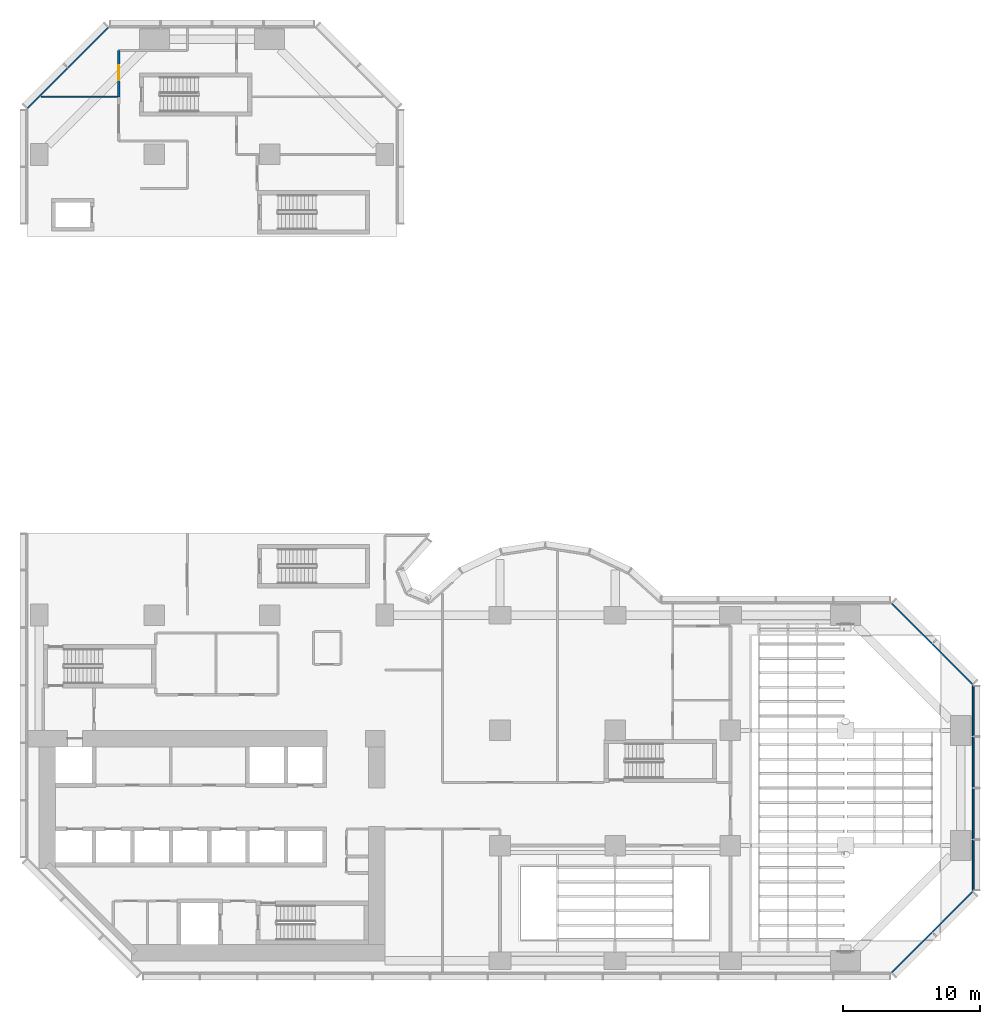
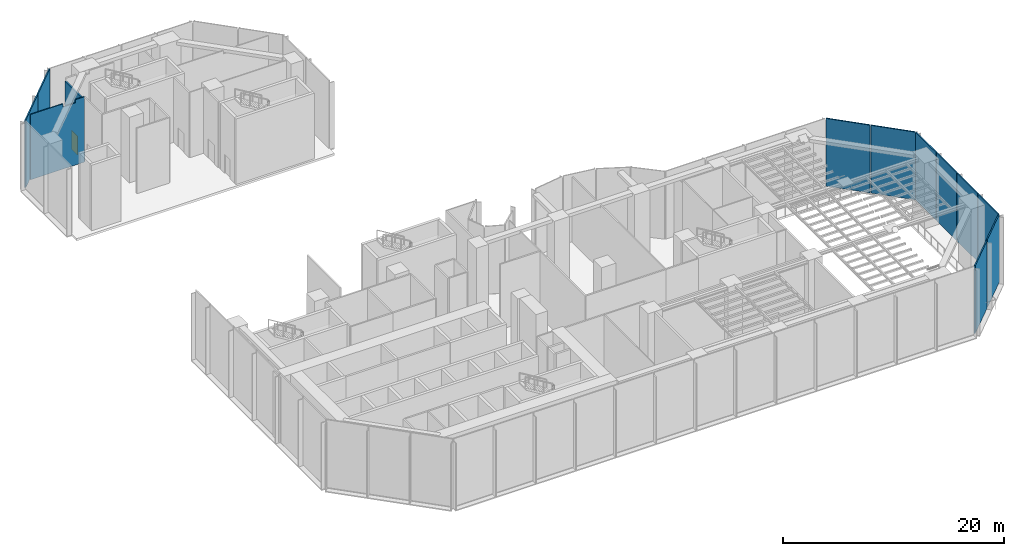
# One storey, part 16 of 22: 12 walls, 1 door, 1 opening.
"""IFC4 building model written with IfcOpenShell, lengths in metres."""

from ifc_helpers import new_model, si_unit, direction, frame, frame_2d, origin, place, context, subcontext, project, spatial, polyline, rectangle, outline, extrude, material, layer, layer_set, type_object, element, fill, save


model = new_model("IFC4")

# Units and contexts
model_context = context("Model", 3, precision=1e-05, world=origin(), true_north=direction((0.0, 1.0)))
body_context = subcontext(model_context, "Body", "Model", "MODEL_VIEW")
ifc_project = project(units=[si_unit("LENGTHUNIT", "METRE"), si_unit("AREAUNIT", "SQUARE_METRE"), si_unit("VOLUMEUNIT", "CUBIC_METRE"), si_unit("PLANEANGLEUNIT", "RADIAN"), si_unit("MASSUNIT", "GRAM", prefix="KILO")], contexts=[model_context])

# Site, building, storey
site_placement = place(None, origin())
site = spatial("IfcSite", under=ifc_project, at=site_placement, CompositionType="ELEMENT")
building_placement = place(site_placement, origin())
building = spatial("IfcBuilding", under=site, at=building_placement, Name="Brevane Broadcast Tower", CompositionType="ELEMENT")
storey_placement = place(building_placement, frame((0.0, 0.0, 20.0)))
storey = spatial("IfcBuildingStorey", under=building, at=storey_placement, Name="L03", CompositionType="ELEMENT", Elevation=20.0)

# Wall
ifc_material_1 = material(Name="Gypsum board partition")
ifc_layer_1 = layer(ifc_material_1, 0.10009765625)
ifc_layer_set_1 = layer_set([ifc_layer_1], Name="PARTITION 100 STUD")
wall_type_1 = type_object("IfcWallType", Name="PARTITION 100 STUD", PredefinedType="PARTITIONING", material=ifc_layer_set_1)
wall_1_placement = place(storey_placement, frame((0.144287109375, 63.0, 0.0), z_axis=(0.0, 0.0, 1.0), x_axis=(1.0, 0.0, 0.0)))
element("IfcWall", 1, at=wall_1_placement, inside=storey, type_object=wall_type_1, Name="Partition P3-038", PredefinedType="PARTITIONING", context=body_context, shape_type="SweptSolid", body=[
    extrude(outline(polyline([(0.0, 0.0), (5.65576171875, 0.0), (5.65576171875, 7.22998046875), (4.721435546875, 7.22998046875), (4.719482421875, 6.8798828125), (3.39208984375, 6.8798828125), (3.39013671875, 7.22998046875), (0.0, 7.22998046875), (0.0, 0.0)])), frame((0.0, 0.050048828125, 0.0), z_axis=(0.0, -1.0, 0.0), x_axis=(1.0, 0.0, 0.0)), (0.0, 0.0, 1.0), 0.10009765625),
])

# Wall, opening, door
ifc_layer_2 = layer(ifc_material_1, 0.14990234375)
ifc_layer_set_2 = layer_set([ifc_layer_2], Name="PARTITION 150 EI 60")
wall_type_2 = type_object("IfcWallType", Name="PARTITION 150 EI 60", PredefinedType="PARTITIONING", material=ifc_layer_set_2)
wall_2_placement = place(storey_placement, frame((5.800048828125, 63.0, 0.0), z_axis=(0.0, 0.0, 1.0), x_axis=(0.0, 1.0, 0.0)))
wall_2 = element("IfcWall", 2, at=wall_2_placement, inside=storey, type_object=wall_type_2, Name="Partition P3-033", PredefinedType="PARTITIONING", context=body_context, shape_type="SweptSolid", body=[
    extrude(rectangle(XDim=3.375, YDim=0.14990234375, at=frame_2d((1.6875, 0.0))), origin(), (0.0, 0.0, 1.0), 6.8798828125),
])
opening_placement = place(wall_2_placement, frame((1.199951171875, 0.0, 0.0)))
opening = element("IfcOpeningElement", 3, at=opening_placement, cuts=wall_2, Name="Opening D04-013", PredefinedType="OPENING", context=body_context, shape_type="SweptSolid", body=[
    extrude(rectangle(XDim=1.10009765625, YDim=2.10009765625, at=frame_2d((0.550048828125, 1.050048828125))), frame((0.0, 0.0849609375, 0.0), z_axis=(0.0, -1.0, 0.0), x_axis=(1.0, 0.0, 0.0)), (0.0, 0.0, 1.0), 0.169921875),
])
ifc_material_2 = material(Name="Fire-rated timber door leaf", Category="wood")
door_type = type_object("IfcDoorType", Name="DOOR SINGLE 1100 FD30S", OperationType="SINGLE_SWING_LEFT", PredefinedType="DOOR", material=ifc_material_2)
door_placement = place(opening_placement, origin())
door = element("IfcDoor", 4, at=door_placement, inside=storey, type_object=door_type, Name="Door D04-013", OperationType="SINGLE_SWING_LEFT", OverallHeight=2.10009765625, OverallWidth=1.10009765625, PredefinedType="DOOR", context=body_context, shape_type="SweptSolid", body=[
    extrude(rectangle(XDim=1.10009765625, YDim=2.10009765625, at=frame_2d((0.550048828125, 1.050048828125))), frame((0.0, 0.02490234375, 0.0), z_axis=(0.0, -1.0, 0.0), x_axis=(1.0, 0.0, 0.0)), (0.0, 0.0, 1.0), 0.050048828125),
])
fill(opening, door)

# Walls
ifc_material_3 = material(Name="Precast concrete C40/50", Category="concrete")
ifc_layer_3 = layer(ifc_material_3, 0.1201171875)
ifc_layer_set_3 = layer_set([ifc_layer_3], Name="Podium precast cladding wall 120 C40/50")
wall_type_3 = type_object("IfcWallType", Name="Podium precast cladding wall 120 C40/50", PredefinedType="SOLIDWALL", material=ifc_layer_set_3)
wall_3_placement = place(storey_placement, origin())
element("IfcWall", 5, at=wall_3_placement, inside=storey, type_object=wall_type_3, Name="Podium precast cladding wall", PredefinedType="SOLIDWALL", context=body_context, shape_type="SweptSolid", body=[
    extrude(outline(polyline([(62.096435546875, -0.832763671875), (65.03271484375, 2.103515625), (65.11767578125, 2.018798828125), (62.181396484375, -0.917724609375), (62.096435546875, -0.832763671875)])), origin(), (0.0, 0.0, 1.0), 7.5),
])
wall_4_placement = place(storey_placement, origin())
element("IfcWall", 6, at=wall_4_placement, inside=storey, type_object=wall_type_3, Name="Podium precast cladding wall", PredefinedType="SOLIDWALL", context=body_context, shape_type="SweptSolid", body=[
    extrude(outline(polyline([(65.096435546875, 2.167236328125), (68.03271484375, 5.103515625), (68.11767578125, 5.018798828125), (65.181396484375, 2.082275390625), (65.096435546875, 2.167236328125)])), origin(), (0.0, 0.0, 1.0), 7.5),
])
wall_5_placement = place(storey_placement, origin())
element("IfcWall", 7, at=wall_5_placement, inside=storey, type_object=wall_type_3, Name="Podium precast cladding wall", PredefinedType="SOLIDWALL", context=body_context, shape_type="SweptSolid", body=[
    extrude(outline(polyline([(68.169921875, 8.804931640625), (68.050048828125, 8.804931640625), (68.050048828125, 5.14501953125), (68.169921875, 5.14501953125), (68.169921875, 8.804931640625)])), origin(), (0.0, 0.0, 1.0), 7.5),
])
wall_6_placement = place(storey_placement, origin())
element("IfcWall", 8, at=wall_6_placement, inside=storey, type_object=wall_type_3, Name="Podium precast cladding wall", PredefinedType="SOLIDWALL", context=body_context, shape_type="SweptSolid", body=[
    extrude(outline(polyline([(68.169921875, 12.554931640625), (68.050048828125, 12.554931640625), (68.050048828125, 8.89501953125), (68.169921875, 8.89501953125), (68.169921875, 12.554931640625)])), origin(), (0.0, 0.0, 1.0), 7.5),
])
wall_7_placement = place(storey_placement, origin())
element("IfcWall", 9, at=wall_7_placement, inside=storey, type_object=wall_type_3, Name="Podium precast cladding wall", PredefinedType="SOLIDWALL", context=body_context, shape_type="SweptSolid", body=[
    extrude(outline(polyline([(68.169921875, 16.304931640625), (68.050048828125, 16.304931640625), (68.050048828125, 12.64501953125), (68.169921875, 12.64501953125), (68.169921875, 16.304931640625)])), origin(), (0.0, 0.0, 1.0), 7.5),
])
wall_8_placement = place(storey_placement, origin())
element("IfcWall", 10, at=wall_8_placement, inside=storey, type_object=wall_type_3, Name="Podium precast cladding wall", PredefinedType="SOLIDWALL", context=body_context, shape_type="SweptSolid", body=[
    extrude(outline(polyline([(68.169921875, 20.054931640625), (68.050048828125, 20.054931640625), (68.050048828125, 16.39501953125), (68.169921875, 16.39501953125), (68.169921875, 20.054931640625)])), origin(), (0.0, 0.0, 1.0), 7.5),
])
wall_9_placement = place(storey_placement, origin())
element("IfcWall", 11, at=wall_9_placement, inside=storey, type_object=wall_type_3, Name="Podium precast cladding wall", PredefinedType="SOLIDWALL", context=body_context, shape_type="SweptSolid", body=[
    extrude(outline(polyline([(68.03271484375, 20.096435546875), (65.096435546875, 23.03271484375), (65.181396484375, 23.11767578125), (68.11767578125, 20.181396484375), (68.03271484375, 20.096435546875)])), origin(), (0.0, 0.0, 1.0), 7.5),
])
wall_10_placement = place(storey_placement, origin())
element("IfcWall", 12, at=wall_10_placement, inside=storey, type_object=wall_type_3, Name="Podium precast cladding wall", PredefinedType="SOLIDWALL", context=body_context, shape_type="SweptSolid", body=[
    extrude(outline(polyline([(65.03271484375, 23.096435546875), (62.096435546875, 26.03271484375), (62.181396484375, 26.11767578125), (65.11767578125, 23.181396484375), (65.03271484375, 23.096435546875)])), origin(), (0.0, 0.0, 1.0), 7.5),
])
wall_11_placement = place(storey_placement, origin())
element("IfcWall", 13, at=wall_11_placement, inside=storey, type_object=wall_type_3, Name="Podium precast cladding wall", PredefinedType="SOLIDWALL", context=body_context, shape_type="SweptSolid", body=[
    extrude(outline(polyline([(5.103515625, 68.03271484375), (2.167236328125, 65.096435546875), (2.082275390625, 65.181396484375), (5.018798828125, 68.11767578125), (5.103515625, 68.03271484375)])), origin(), (0.0, 0.0, 1.0), 7.5),
])
wall_12_placement = place(storey_placement, origin())
element("IfcWall", 14, at=wall_12_placement, inside=storey, type_object=wall_type_3, Name="Podium precast cladding wall", PredefinedType="SOLIDWALL", context=body_context, shape_type="SweptSolid", body=[
    extrude(outline(polyline([(2.103515625, 65.03271484375), (-0.832763671875, 62.096435546875), (-0.917724609375, 62.181396484375), (2.018798828125, 65.11767578125), (2.103515625, 65.03271484375)])), origin(), (0.0, 0.0, 1.0), 7.5),
])

save(model, "model.ifc")
